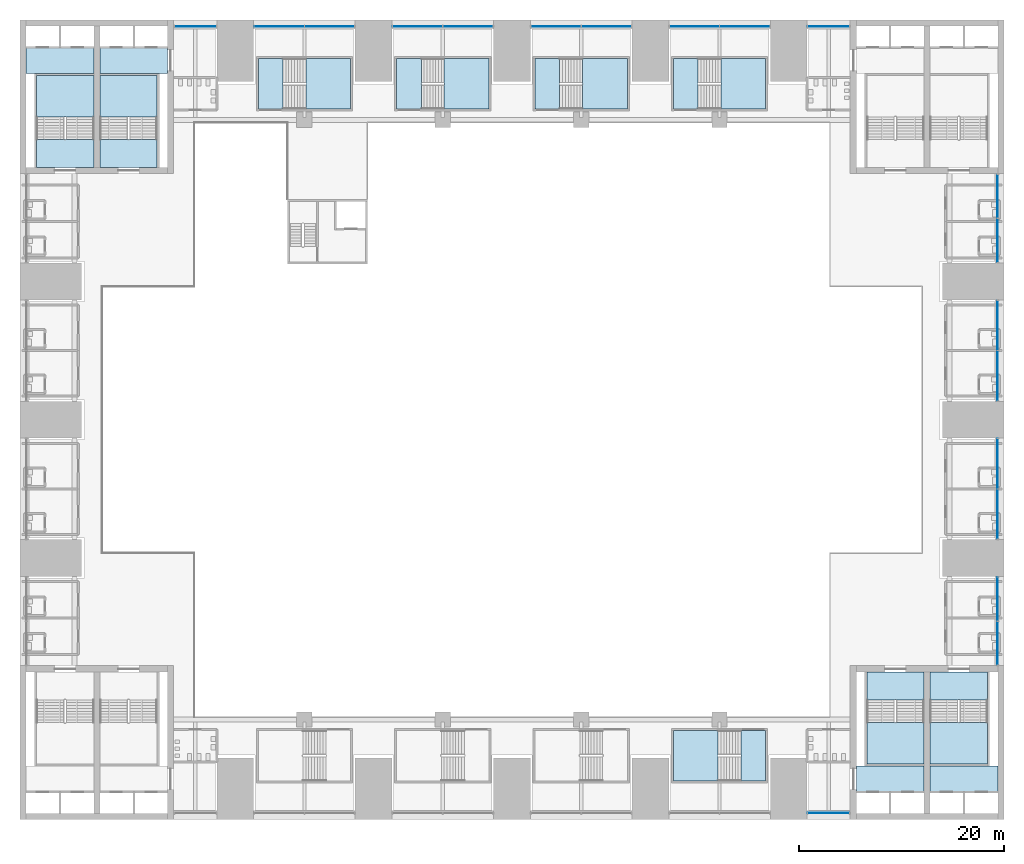
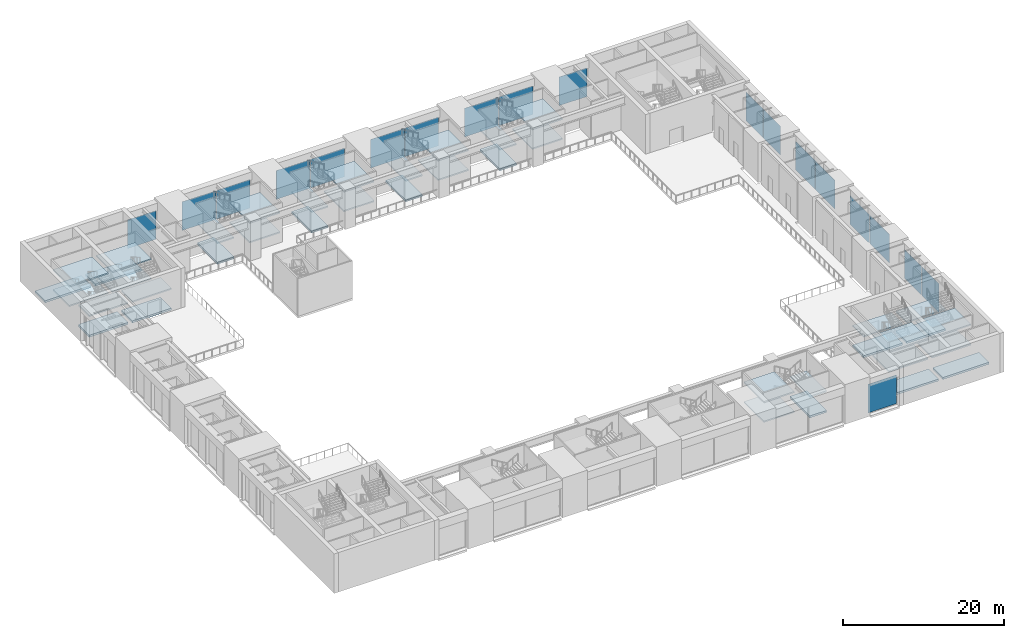
# One storey, part 11 of 43: 40 slabs, 19 plates, 20 elements without a shape of their own.
"""IFC4 building model written with IfcOpenShell, lengths in metres."""

import ifcopenshell
import ifcopenshell.guid

model = None  # the IFC model being written
_history = None  # IfcOwnerHistory: only IFC2X3 demands one
_inside = {}  # id of a spatial element -> (the spatial element, [elements in it])
_under = {}  # id of a project, library or spatial element -> (it, [spatial elements below it])
_declared = {}  # id of a project -> (the project, [libraries it declares])
_typed = {}  # id of a type object -> (the type object, [elements of that type])
_made_of = {}  # id of a material, layer set ... -> (it, [elements and type objects made of it])


def new_model(schema):
    """Start an empty IFC model of exactly this schema.

    Asked for "IFC4X3", IfcOpenShell would pick the latest addendum, in which some entities
    have other attributes; the version numbers below select the first issue.
    IFC2X3 requires an IfcOwnerHistory on every rooted entity: one is made here for all.
    """
    global model, _history
    if schema == "IFC4X3":
        model = ifcopenshell.file(schema_version=(4, 3, 0, 0))
    else:
        model = ifcopenshell.file(schema=schema)
    _inside.clear()
    _under.clear()
    _declared.clear()
    _typed.clear()
    _made_of.clear()
    _history = None
    if model.schema == "IFC2X3":
        org = make("IfcOrganization", Name="unknown")
        user = make(
            "IfcPersonAndOrganization",
            ThePerson=make("IfcPerson", FamilyName="unknown"),
            TheOrganization=org,
        )
        app = make(
            "IfcApplication",
            ApplicationDeveloper=org,
            Version="unknown",
            ApplicationFullName="unknown",
            ApplicationIdentifier="unknown",
        )
        _history = make(
            "IfcOwnerHistory",
            OwningUser=user,
            OwningApplication=app,
            ChangeAction="ADDED",
            CreationDate=0,
        )
    return model


def make(cls, **values):
    """One entity of the class cls with the attributes given. An attribute that is None is left unset."""
    return model.create_entity(
        cls, **{name: value for name, value in values.items() if value is not None}
    )


def rooted(cls, **values):
    """An entity with a GlobalId (a new one), such as an element, a storey or a relation."""
    return make(cls, GlobalId=ifcopenshell.guid.new(), OwnerHistory=_history, **values)


def si_unit(unit_type, name, prefix=None):
    """IfcSIUnit, for example si_unit("LENGTHUNIT", "METRE", prefix="MILLI")."""
    return make("IfcSIUnit", UnitType=unit_type, Prefix=prefix, Name=name)


def assignment(units):
    """IfcUnitAssignment: the units of a project."""
    return None if units is None else make("IfcUnitAssignment", Units=units)


def point(xyz):
    """IfcCartesianPoint."""
    return None if xyz is None else make("IfcCartesianPoint", Coordinates=xyz)


def direction(xyz):
    """IfcDirection."""
    return None if xyz is None else make("IfcDirection", DirectionRatios=xyz)


def frame(location, z_axis=None, x_axis=None):
    """IfcAxis2Placement3D, a coordinate frame: its origin and axes. An axis left out is left unset."""
    return make(
        "IfcAxis2Placement3D",
        Location=point(location),
        Axis=direction(z_axis),
        RefDirection=direction(x_axis),
    )


def frame_2d(location, x_axis=None):
    """IfcAxis2Placement2D, a coordinate frame in the plane: its origin and x axis."""
    return make(
        "IfcAxis2Placement2D", Location=point(location), RefDirection=direction(x_axis)
    )


def origin():
    """The frame at (0, 0, 0) with its axes left unset."""
    return frame((0.0, 0.0, 0.0))


def origin_2d():
    """The frame at (0, 0) in the plane with its x axis left unset."""
    return frame_2d((0.0, 0.0))


def place(relative_to, where):
    """IfcLocalPlacement: puts the frame where relative to a parent placement (None: the world)."""
    return make(
        "IfcLocalPlacement", PlacementRelTo=relative_to, RelativePlacement=where
    )


def context(
    kind, dimensions, precision=None, world=None, true_north=None, identifier=None
):
    """IfcGeometricRepresentationContext, for example the 3D "Model" context."""
    return make(
        "IfcGeometricRepresentationContext",
        ContextIdentifier=identifier,
        ContextType=kind,
        CoordinateSpaceDimension=dimensions,
        Precision=precision,
        WorldCoordinateSystem=world,
        TrueNorth=true_north,
    )


def subcontext(parent, identifier, kind, view, scale=None):
    """IfcGeometricRepresentationSubContext, for example "Body" below "Model"."""
    return make(
        "IfcGeometricRepresentationSubContext",
        ContextIdentifier=identifier,
        ContextType=kind,
        ParentContext=parent,
        TargetScale=scale,
        TargetView=view,
    )


def project(units=None, contexts=None):
    """IfcProject with its units and contexts."""
    return rooted(
        "IfcProject",
        Name="project",
        RepresentationContexts=contexts,
        UnitsInContext=assignment(units),
    )


def spatial(cls, under=None, at=None, **own):
    """A site, building, storey or space (cls), placed at a placement, below another one or the project."""
    s = rooted(cls, ObjectPlacement=at, **own)
    if under is not None:
        _under.setdefault(under.id(), (under, []))[1].append(s)
    return s


def polyline(points):
    """IfcPolyline through the points."""
    return make("IfcPolyline", Points=[point(p) for p in points])


def profile(cls, at=None, kind="AREA", **sizes):
    """A parametric profile (cls). Its sizes go by their IFC names, for example OverallWidth=200.0."""
    return make(cls, ProfileType=kind, Position=at, **sizes)


def rectangle(**sizes):
    """IfcRectangleProfileDef."""
    return profile("IfcRectangleProfileDef", **sizes)


def outline(outer, holes=None, kind="AREA"):
    """IfcArbitraryClosedProfileDef: a profile drawn as a closed curve; with holes, ...WithVoids."""
    if holes is None:
        return make("IfcArbitraryClosedProfileDef", ProfileType=kind, OuterCurve=outer)
    return make(
        "IfcArbitraryProfileDefWithVoids",
        ProfileType=kind,
        OuterCurve=outer,
        InnerCurves=holes,
    )


def extrude(swept, where, along, depth):
    """IfcExtrudedAreaSolid: the profile swept, set in the frame where, extruded along a direction by depth."""
    return make(
        "IfcExtrudedAreaSolid",
        SweptArea=swept,
        Position=where,
        ExtrudedDirection=direction(along),
        Depth=depth,
    )


def shape(context_of_items, identifier, shape_type, items):
    """IfcShapeRepresentation: the items that make up one representation, for example the "Body"."""
    return make(
        "IfcShapeRepresentation",
        ContextOfItems=context_of_items,
        RepresentationIdentifier=identifier,
        RepresentationType=shape_type,
        Items=items,
    )


def material(Name=None, Category=None):
    """IfcMaterial."""
    return make("IfcMaterial", Name=Name, Category=Category)


def layer(
    of_material, thickness, ventilated=None, Name=None, Category=None, Priority=None
):
    """IfcMaterialLayer: one layer of a wall or slab, of a material (None: an air gap)."""
    return make(
        "IfcMaterialLayer",
        Material=of_material,
        LayerThickness=thickness,
        IsVentilated=ventilated,
        Name=Name,
        Category=Category,
        Priority=Priority,
    )


def layer_set(layers, Name=None):
    """IfcMaterialLayerSet."""
    return make("IfcMaterialLayerSet", MaterialLayers=layers, LayerSetName=Name)


def made_of(thing, what):
    """Note that an element or type object is made of a material, layer set ...; save() writes the relation."""
    if what is not None:
        _made_of.setdefault(what.id(), (what, []))[1].append(thing)
    return thing


def type_object(cls, material=None, **own):
    """A type object (cls), such as IfcWallType, which elements share."""
    return made_of(rooted(cls, **own), material)


def element(
    cls,
    number,
    at=None,
    inside=None,
    cuts=None,
    type_object=None,
    material=None,
    context=None,
    identifier="Body",
    shape_type=None,
    held_by="IfcProductDefinitionShape",
    body=None,
    shapes=None,
    **own,
):
    """One element of the class cls, such as IfcWall. Its Tag is "e" and its number.

    at: its placement. inside: the storey or other place that contains it. cuts: it is an
    opening in that element (IfcRelVoidsElement). A single representation is given by context,
    identifier, shape_type and body (its items); several are given by shapes. held_by: the class
    of the entity that holds the representations. save() writes the other relations.
    """
    e = rooted(cls, Tag="e%d" % number, ObjectPlacement=at, **own)
    if body is not None:
        shapes = [shape(context, identifier, shape_type, body)]
    if shapes is not None:
        e.Representation = make(held_by, Representations=shapes)
    if inside is not None:
        _inside.setdefault(inside.id(), (inside, []))[1].append(e)
    if cuts is not None:
        rooted(
            "IfcRelVoidsElement", RelatingBuildingElement=cuts, RelatedOpeningElement=e
        )
    if type_object is not None:
        _typed.setdefault(type_object.id(), (type_object, []))[1].append(e)
    return made_of(e, material)


def aggregate(whole, parts):
    """IfcRelAggregates: a whole, such as a stair, and the parts it consists of."""
    return rooted("IfcRelAggregates", RelatingObject=whole, RelatedObjects=parts)


def save(model, path):
    """Write the relations noted so far, then the file.

    IfcRelAggregates (storeys below a building ...), IfcRelContainedInSpatialStructure (elements
    in a storey), IfcRelDefinesByType, IfcRelAssociatesMaterial and IfcRelDeclares: one each for
    every whole, place, type object, material and project.
    """
    for whole, parts in _under.values():
        aggregate(whole, parts)
    for where, things in _inside.values():
        rooted(
            "IfcRelContainedInSpatialStructure",
            RelatedElements=things,
            RelatingStructure=where,
        )
    for kind, things in _typed.values():
        rooted("IfcRelDefinesByType", RelatedObjects=things, RelatingType=kind)
    for what, things in _made_of.values():
        rooted("IfcRelAssociatesMaterial", RelatedObjects=things, RelatingMaterial=what)
    for by, libraries in _declared.values():
        rooted("IfcRelDeclares", RelatingContext=by, RelatedDefinitions=libraries)
    model.write(path)


model = new_model("IFC4")

# Units and contexts
model_context = context("Model", 3, precision=1e-05, world=origin(), true_north=direction((0.0, 1.0)))
body_context = subcontext(model_context, "Body", "Model", "MODEL_VIEW")
ifc_project = project(units=[si_unit("LENGTHUNIT", "METRE"), si_unit("AREAUNIT", "SQUARE_METRE"), si_unit("VOLUMEUNIT", "CUBIC_METRE"), si_unit("PLANEANGLEUNIT", "RADIAN"), si_unit("MASSUNIT", "GRAM", prefix="KILO")], contexts=[model_context])

# Site, building, storey
site_placement = place(None, origin())
site = spatial("IfcSite", under=ifc_project, at=site_placement, CompositionType="ELEMENT")
building_placement = place(site_placement, origin())
building = spatial("IfcBuilding", under=site, at=building_placement, Name="Corbelhall Arena Tower", CompositionType="ELEMENT")
storey_placement = place(building_placement, frame((0.0, 0.0, 25.0)))
storey = spatial("IfcBuildingStorey", under=building, at=storey_placement, Name="L03", CompositionType="ELEMENT", Elevation=25.0)

# Stair, slabs
ifc_material_1 = material(Name="Reinforced concrete C40/50", Category="concrete")
stair_type = type_object("IfcStairType", Name="AR-EXIT-STAIR", PredefinedType="HALF_TURN_STAIR", material=ifc_material_1)
stair_1_placement = place(storey_placement, origin())
stair_1 = element("IfcStair", 1, at=stair_1_placement, inside=storey, type_object=stair_type, Name="L03 exit stair AS9", PredefinedType="HALF_TURN_STAIR")
ifc_layer_1 = layer(ifc_material_1, 0.199951171875)
ifc_layer_set_1 = layer_set([ifc_layer_1], Name="AR-EXIT-LANDING")
slab_type_1 = type_object("IfcSlabType", Name="AR-EXIT-LANDING", PredefinedType="LANDING", material=ifc_layer_set_1)
slab_1_placement = place(storey_placement, frame((0.0, 0.0, 1.300048828125)))
slab_1 = element("IfcSlab", 2, at=slab_1_placement, type_object=slab_type_1, Name="AS9 landing 1", PredefinedType="LANDING", context=body_context, shape_type="SweptSolid", body=[
    extrude(outline(polyline([(-20.110107421875, 30.300048828125), (-15.75, 30.300048828125), (-15.75, 35.25), (-20.110107421875, 35.25), (-20.110107421875, 30.300048828125)])), origin(), (0.0, 0.0, 1.0), 0.199951171875),
])
slab_2_placement = place(storey_placement, frame((0.0, 0.0, 2.800048828125)))
slab_2 = element("IfcSlab", 3, at=slab_2_placement, type_object=slab_type_1, Name="AS9 landing 2", PredefinedType="LANDING", context=body_context, shape_type="SweptSolid", body=[
    extrude(outline(polyline([(-24.75, 30.300048828125), (-22.35009765625, 30.300048828125), (-22.35009765625, 35.25), (-24.75, 35.25), (-24.75, 30.300048828125)])), origin(), (0.0, 0.0, 1.0), 0.199951171875),
])
slab_3_placement = place(storey_placement, frame((0.0, 0.0, 4.300048828125)))
slab_3 = element("IfcSlab", 4, at=slab_3_placement, type_object=slab_type_1, Name="AS9 landing 3", PredefinedType="LANDING", context=body_context, shape_type="SweptSolid", body=[
    extrude(outline(polyline([(-20.110107421875, 30.300048828125), (-15.75, 30.300048828125), (-15.75, 35.25), (-20.110107421875, 35.25), (-20.110107421875, 30.300048828125)])), origin(), (0.0, 0.0, 1.0), 0.199951171875),
])
aggregate(stair_1, [slab_1, slab_2, slab_3])

stair_2_placement = place(storey_placement, origin())
stair_2 = element("IfcStair", 5, at=stair_2_placement, inside=storey, type_object=stair_type, Name="L03 exit stair AS10", PredefinedType="HALF_TURN_STAIR")
slab_4_placement = place(storey_placement, frame((0.0, 0.0, 1.300048828125)))
slab_4 = element("IfcSlab", 6, at=slab_4_placement, type_object=slab_type_1, Name="AS10 landing 1", PredefinedType="LANDING", context=body_context, shape_type="SweptSolid", body=[
    extrude(outline(polyline([(-6.610107421875, 30.300048828125), (-2.25, 30.300048828125), (-2.25, 35.25), (-6.610107421875, 35.25), (-6.610107421875, 30.300048828125)])), origin(), (0.0, 0.0, 1.0), 0.199951171875),
])
slab_5_placement = place(storey_placement, frame((0.0, 0.0, 2.800048828125)))
slab_5 = element("IfcSlab", 7, at=slab_5_placement, type_object=slab_type_1, Name="AS10 landing 2", PredefinedType="LANDING", context=body_context, shape_type="SweptSolid", body=[
    extrude(outline(polyline([(-11.25, 30.300048828125), (-8.85009765625, 30.300048828125), (-8.85009765625, 35.25), (-11.25, 35.25), (-11.25, 30.300048828125)])), origin(), (0.0, 0.0, 1.0), 0.199951171875),
])
slab_6_placement = place(storey_placement, frame((0.0, 0.0, 4.300048828125)))
slab_6 = element("IfcSlab", 8, at=slab_6_placement, type_object=slab_type_1, Name="AS10 landing 3", PredefinedType="LANDING", context=body_context, shape_type="SweptSolid", body=[
    extrude(outline(polyline([(-6.610107421875, 30.300048828125), (-2.25, 30.300048828125), (-2.25, 35.25), (-6.610107421875, 35.25), (-6.610107421875, 30.300048828125)])), origin(), (0.0, 0.0, 1.0), 0.199951171875),
])
aggregate(stair_2, [slab_4, slab_5, slab_6])

stair_3_placement = place(storey_placement, origin())
stair_3 = element("IfcStair", 9, at=stair_3_placement, inside=storey, type_object=stair_type, Name="L03 exit stair AS11", PredefinedType="HALF_TURN_STAIR")
slab_7_placement = place(storey_placement, frame((0.0, 0.0, 1.300048828125)))
slab_7 = element("IfcSlab", 10, at=slab_7_placement, type_object=slab_type_1, Name="AS11 landing 1", PredefinedType="LANDING", context=body_context, shape_type="SweptSolid", body=[
    extrude(outline(polyline([(6.889892578125, 30.300048828125), (11.25, 30.300048828125), (11.25, 35.25), (6.889892578125, 35.25), (6.889892578125, 30.300048828125)])), origin(), (0.0, 0.0, 1.0), 0.199951171875),
])
slab_8_placement = place(storey_placement, frame((0.0, 0.0, 2.800048828125)))
slab_8 = element("IfcSlab", 11, at=slab_8_placement, type_object=slab_type_1, Name="AS11 landing 2", PredefinedType="LANDING", context=body_context, shape_type="SweptSolid", body=[
    extrude(outline(polyline([(2.25, 30.300048828125), (4.64990234375, 30.300048828125), (4.64990234375, 35.25), (2.25, 35.25), (2.25, 30.300048828125)])), origin(), (0.0, 0.0, 1.0), 0.199951171875),
])
slab_9_placement = place(storey_placement, frame((0.0, 0.0, 4.300048828125)))
slab_9 = element("IfcSlab", 12, at=slab_9_placement, type_object=slab_type_1, Name="AS11 landing 3", PredefinedType="LANDING", context=body_context, shape_type="SweptSolid", body=[
    extrude(outline(polyline([(6.889892578125, 30.300048828125), (11.25, 30.300048828125), (11.25, 35.25), (6.889892578125, 35.25), (6.889892578125, 30.300048828125)])), origin(), (0.0, 0.0, 1.0), 0.199951171875),
])
aggregate(stair_3, [slab_7, slab_8, slab_9])

stair_4_placement = place(storey_placement, origin())
stair_4 = element("IfcStair", 13, at=stair_4_placement, inside=storey, type_object=stair_type, Name="L03 exit stair AS12", PredefinedType="HALF_TURN_STAIR")
slab_10_placement = place(storey_placement, frame((0.0, 0.0, 1.300048828125)))
slab_10 = element("IfcSlab", 14, at=slab_10_placement, type_object=slab_type_1, Name="AS12 landing 1", PredefinedType="LANDING", context=body_context, shape_type="SweptSolid", body=[
    extrude(outline(polyline([(20.389892578125, 30.300048828125), (24.75, 30.300048828125), (24.75, 35.25), (20.389892578125, 35.25), (20.389892578125, 30.300048828125)])), origin(), (0.0, 0.0, 1.0), 0.199951171875),
])
slab_11_placement = place(storey_placement, frame((0.0, 0.0, 2.800048828125)))
slab_11 = element("IfcSlab", 15, at=slab_11_placement, type_object=slab_type_1, Name="AS12 landing 2", PredefinedType="LANDING", context=body_context, shape_type="SweptSolid", body=[
    extrude(outline(polyline([(15.75, 30.300048828125), (18.14990234375, 30.300048828125), (18.14990234375, 35.25), (15.75, 35.25), (15.75, 30.300048828125)])), origin(), (0.0, 0.0, 1.0), 0.199951171875),
])
slab_12_placement = place(storey_placement, frame((0.0, 0.0, 4.300048828125)))
slab_12 = element("IfcSlab", 16, at=slab_12_placement, type_object=slab_type_1, Name="AS12 landing 3", PredefinedType="LANDING", context=body_context, shape_type="SweptSolid", body=[
    extrude(outline(polyline([(20.389892578125, 30.300048828125), (24.75, 30.300048828125), (24.75, 35.25), (20.389892578125, 35.25), (20.389892578125, 30.300048828125)])), origin(), (0.0, 0.0, 1.0), 0.199951171875),
])
aggregate(stair_4, [slab_10, slab_11, slab_12])

stair_5_placement = place(storey_placement, origin())
stair_5 = element("IfcStair", 17, at=stair_5_placement, inside=storey, type_object=stair_type, Name="L03 exit stair AS16", PredefinedType="HALF_TURN_STAIR")
slab_13_placement = place(storey_placement, frame((0.0, 0.0, 1.300048828125)))
slab_13 = element("IfcSlab", 18, at=slab_13_placement, type_object=slab_type_1, Name="AS16 landing 1", PredefinedType="LANDING", context=body_context, shape_type="SweptSolid", body=[
    extrude(outline(polyline([(20.110107421875, -30.300048828125), (15.75, -30.300048828125), (15.75, -35.25), (20.110107421875, -35.25), (20.110107421875, -30.300048828125)])), origin(), (0.0, 0.0, 1.0), 0.199951171875),
])
slab_14_placement = place(storey_placement, frame((0.0, 0.0, 2.800048828125)))
slab_14 = element("IfcSlab", 19, at=slab_14_placement, type_object=slab_type_1, Name="AS16 landing 2", PredefinedType="LANDING", context=body_context, shape_type="SweptSolid", body=[
    extrude(outline(polyline([(24.75, -30.300048828125), (22.35009765625, -30.300048828125), (22.35009765625, -35.25), (24.75, -35.25), (24.75, -30.300048828125)])), origin(), (0.0, 0.0, 1.0), 0.199951171875),
])
slab_15_placement = place(storey_placement, frame((0.0, 0.0, 4.300048828125)))
slab_15 = element("IfcSlab", 20, at=slab_15_placement, type_object=slab_type_1, Name="AS16 landing 3", PredefinedType="LANDING", context=body_context, shape_type="SweptSolid", body=[
    extrude(outline(polyline([(20.110107421875, -30.300048828125), (15.75, -30.300048828125), (15.75, -35.25), (20.110107421875, -35.25), (20.110107421875, -30.300048828125)])), origin(), (0.0, 0.0, 1.0), 0.199951171875),
])
aggregate(stair_5, [slab_13, slab_14, slab_15])

stair_6_placement = place(storey_placement, origin())
stair_6 = element("IfcStair", 21, at=stair_6_placement, inside=storey, type_object=stair_type, Name="L03 exit stair AS3", PredefinedType="HALF_TURN_STAIR")
slab_16_placement = place(storey_placement, frame((0.0, 0.0, 1.300048828125)))
slab_16 = element("IfcSlab", 22, at=slab_16_placement, type_object=slab_type_1, Name="AS3 landing 1", PredefinedType="LANDING", context=body_context, shape_type="SweptSolid", body=[
    extrude(outline(polyline([(-34.610107421875, 29.56005859375), (-34.610107421875, 33.60009765625), (-40.199951171875, 33.60009765625), (-40.199951171875, 29.56005859375), (-34.610107421875, 29.56005859375)])), origin(), (0.0, 0.0, 1.0), 0.199951171875),
])
slab_17_placement = place(storey_placement, frame((0.0, 0.0, 2.800048828125)))
slab_17 = element("IfcSlab", 23, at=slab_17_placement, type_object=slab_type_1, Name="AS3 landing 2", PredefinedType="LANDING", context=body_context, shape_type="SweptSolid", body=[
    extrude(outline(polyline([(-34.610107421875, 24.60009765625), (-34.610107421875, 27.320068359375), (-40.199951171875, 27.320068359375), (-40.199951171875, 24.60009765625), (-34.610107421875, 24.60009765625)])), origin(), (0.0, 0.0, 1.0), 0.199951171875),
])
slab_18_placement = place(storey_placement, frame((0.0, 0.0, 4.300048828125)))
slab_18 = element("IfcSlab", 24, at=slab_18_placement, type_object=slab_type_1, Name="AS3 landing 3", PredefinedType="LANDING", context=body_context, shape_type="SweptSolid", body=[
    extrude(outline(polyline([(-34.610107421875, 29.56005859375), (-34.610107421875, 33.60009765625), (-40.199951171875, 33.60009765625), (-40.199951171875, 29.56005859375), (-34.610107421875, 29.56005859375)])), origin(), (0.0, 0.0, 1.0), 0.199951171875),
])
aggregate(stair_6, [slab_16, slab_17, slab_18])

stair_7_placement = place(storey_placement, origin())
stair_7 = element("IfcStair", 25, at=stair_7_placement, inside=storey, type_object=stair_type, Name="L03 exit stair AS4", PredefinedType="HALF_TURN_STAIR")
slab_19_placement = place(storey_placement, frame((0.0, 0.0, 1.300048828125)))
slab_19 = element("IfcSlab", 26, at=slab_19_placement, type_object=slab_type_1, Name="AS4 landing 1", PredefinedType="LANDING", context=body_context, shape_type="SweptSolid", body=[
    extrude(outline(polyline([(-40.800048828125, 29.56005859375), (-40.800048828125, 33.60009765625), (-46.389892578125, 33.60009765625), (-46.389892578125, 29.56005859375), (-40.800048828125, 29.56005859375)])), origin(), (0.0, 0.0, 1.0), 0.199951171875),
])
slab_20_placement = place(storey_placement, frame((0.0, 0.0, 2.800048828125)))
slab_20 = element("IfcSlab", 27, at=slab_20_placement, type_object=slab_type_1, Name="AS4 landing 2", PredefinedType="LANDING", context=body_context, shape_type="SweptSolid", body=[
    extrude(outline(polyline([(-40.800048828125, 24.60009765625), (-40.800048828125, 27.320068359375), (-46.389892578125, 27.320068359375), (-46.389892578125, 24.60009765625), (-40.800048828125, 24.60009765625)])), origin(), (0.0, 0.0, 1.0), 0.199951171875),
])
slab_21_placement = place(storey_placement, frame((0.0, 0.0, 4.300048828125)))
slab_21 = element("IfcSlab", 28, at=slab_21_placement, type_object=slab_type_1, Name="AS4 landing 3", PredefinedType="LANDING", context=body_context, shape_type="SweptSolid", body=[
    extrude(outline(polyline([(-40.800048828125, 29.56005859375), (-40.800048828125, 33.60009765625), (-46.389892578125, 33.60009765625), (-46.389892578125, 29.56005859375), (-40.800048828125, 29.56005859375)])), origin(), (0.0, 0.0, 1.0), 0.199951171875),
])
aggregate(stair_7, [slab_19, slab_20, slab_21])

stair_8_placement = place(storey_placement, origin())
stair_8 = element("IfcStair", 29, at=stair_8_placement, inside=storey, type_object=stair_type, Name="L03 exit stair AS5", PredefinedType="HALF_TURN_STAIR")
slab_22_placement = place(storey_placement, frame((0.0, 0.0, 1.300048828125)))
slab_22 = element("IfcSlab", 30, at=slab_22_placement, type_object=slab_type_1, Name="AS5 landing 1", PredefinedType="LANDING", context=body_context, shape_type="SweptSolid", body=[
    extrude(outline(polyline([(34.610107421875, -29.56005859375), (34.610107421875, -33.60009765625), (40.199951171875, -33.60009765625), (40.199951171875, -29.56005859375), (34.610107421875, -29.56005859375)])), origin(), (0.0, 0.0, 1.0), 0.199951171875),
])
slab_23_placement = place(storey_placement, frame((0.0, 0.0, 2.800048828125)))
slab_23 = element("IfcSlab", 31, at=slab_23_placement, type_object=slab_type_1, Name="AS5 landing 2", PredefinedType="LANDING", context=body_context, shape_type="SweptSolid", body=[
    extrude(outline(polyline([(34.610107421875, -24.60009765625), (34.610107421875, -27.320068359375), (40.199951171875, -27.320068359375), (40.199951171875, -24.60009765625), (34.610107421875, -24.60009765625)])), origin(), (0.0, 0.0, 1.0), 0.199951171875),
])
slab_24_placement = place(storey_placement, frame((0.0, 0.0, 4.300048828125)))
slab_24 = element("IfcSlab", 32, at=slab_24_placement, type_object=slab_type_1, Name="AS5 landing 3", PredefinedType="LANDING", context=body_context, shape_type="SweptSolid", body=[
    extrude(outline(polyline([(34.610107421875, -29.56005859375), (34.610107421875, -33.60009765625), (40.199951171875, -33.60009765625), (40.199951171875, -29.56005859375), (34.610107421875, -29.56005859375)])), origin(), (0.0, 0.0, 1.0), 0.199951171875),
])
aggregate(stair_8, [slab_22, slab_23, slab_24])

stair_9_placement = place(storey_placement, origin())
stair_9 = element("IfcStair", 33, at=stair_9_placement, inside=storey, type_object=stair_type, Name="L03 exit stair AS6", PredefinedType="HALF_TURN_STAIR")
slab_25_placement = place(storey_placement, frame((0.0, 0.0, 1.300048828125)))
slab_25 = element("IfcSlab", 34, at=slab_25_placement, type_object=slab_type_1, Name="AS6 landing 1", PredefinedType="LANDING", context=body_context, shape_type="SweptSolid", body=[
    extrude(outline(polyline([(40.800048828125, -29.56005859375), (40.800048828125, -33.60009765625), (46.389892578125, -33.60009765625), (46.389892578125, -29.56005859375), (40.800048828125, -29.56005859375)])), origin(), (0.0, 0.0, 1.0), 0.199951171875),
])
slab_26_placement = place(storey_placement, frame((0.0, 0.0, 2.800048828125)))
slab_26 = element("IfcSlab", 35, at=slab_26_placement, type_object=slab_type_1, Name="AS6 landing 2", PredefinedType="LANDING", context=body_context, shape_type="SweptSolid", body=[
    extrude(outline(polyline([(40.800048828125, -24.60009765625), (40.800048828125, -27.320068359375), (46.389892578125, -27.320068359375), (46.389892578125, -24.60009765625), (40.800048828125, -24.60009765625)])), origin(), (0.0, 0.0, 1.0), 0.199951171875),
])
slab_27_placement = place(storey_placement, frame((0.0, 0.0, 4.300048828125)))
slab_27 = element("IfcSlab", 36, at=slab_27_placement, type_object=slab_type_1, Name="AS6 landing 3", PredefinedType="LANDING", context=body_context, shape_type="SweptSolid", body=[
    extrude(outline(polyline([(40.800048828125, -29.56005859375), (40.800048828125, -33.60009765625), (46.389892578125, -33.60009765625), (46.389892578125, -29.56005859375), (40.800048828125, -29.56005859375)])), origin(), (0.0, 0.0, 1.0), 0.199951171875),
])
aggregate(stair_9, [slab_25, slab_26, slab_27])

# Slabs
ifc_layer_2 = layer(ifc_material_1, 0.300048828125)
ifc_layer_set_2 = layer_set([ifc_layer_2], Name="AR-STAIR-FLOOR")
slab_type_2 = type_object("IfcSlabType", Name="AR-STAIR-FLOOR", PredefinedType="FLOOR", material=ifc_layer_set_2)
slab_28_placement = place(storey_placement, frame((0.0, 0.0, -0.300048828125)))
element("IfcSlab", 37, at=slab_28_placement, inside=storey, type_object=slab_type_2, Name="Stair AS9 floor", PredefinedType="FLOOR", context=body_context, shape_type="SweptSolid", body=[
    extrude(outline(polyline([(-24.75, 30.300048828125), (-24.75, 35.25), (-22.346923828125, 35.25), (-22.346923828125, 30.300048828125), (-24.75, 30.300048828125)])), origin(), (0.0, 0.0, 1.0), 0.300048828125),
])
slab_29_placement = place(storey_placement, frame((0.0, 0.0, -0.300048828125)))
element("IfcSlab", 38, at=slab_29_placement, inside=storey, type_object=slab_type_2, Name="Stair AS10 floor", PredefinedType="FLOOR", context=body_context, shape_type="SweptSolid", body=[
    extrude(outline(polyline([(-11.25, 30.300048828125), (-11.25, 35.25), (-8.846923828125, 35.25), (-8.846923828125, 30.300048828125), (-11.25, 30.300048828125)])), origin(), (0.0, 0.0, 1.0), 0.300048828125),
])
slab_30_placement = place(storey_placement, frame((0.0, 0.0, -0.300048828125)))
element("IfcSlab", 39, at=slab_30_placement, inside=storey, type_object=slab_type_2, Name="Stair AS11 floor", PredefinedType="FLOOR", context=body_context, shape_type="SweptSolid", body=[
    extrude(outline(polyline([(2.25, 30.300048828125), (2.25, 35.25), (4.653076171875, 35.25), (4.653076171875, 30.300048828125), (2.25, 30.300048828125)])), origin(), (0.0, 0.0, 1.0), 0.300048828125),
])
slab_31_placement = place(storey_placement, frame((0.0, 0.0, -0.300048828125)))
element("IfcSlab", 40, at=slab_31_placement, inside=storey, type_object=slab_type_2, Name="Stair AS12 floor", PredefinedType="FLOOR", context=body_context, shape_type="SweptSolid", body=[
    extrude(outline(polyline([(15.75, 30.300048828125), (15.75, 35.25), (18.153076171875, 35.25), (18.153076171875, 30.300048828125), (15.75, 30.300048828125)])), origin(), (0.0, 0.0, 1.0), 0.300048828125),
])
slab_32_placement = place(storey_placement, frame((0.0, 0.0, -0.300048828125)))
element("IfcSlab", 41, at=slab_32_placement, inside=storey, type_object=slab_type_2, Name="Stair AS16 floor", PredefinedType="FLOOR", context=body_context, shape_type="SweptSolid", body=[
    extrude(outline(polyline([(24.75, -30.300048828125), (24.75, -35.25), (22.346923828125, -35.25), (22.346923828125, -30.300048828125), (24.75, -30.300048828125)])), origin(), (0.0, 0.0, 1.0), 0.300048828125),
])
slab_33_placement = place(storey_placement, frame((0.0, 0.0, -0.300048828125)))
element("IfcSlab", 42, at=slab_33_placement, inside=storey, type_object=slab_type_2, Name="Stair AS3 floor", PredefinedType="FLOOR", context=body_context, shape_type="SweptSolid", body=[
    extrude(outline(polyline([(-34.610107421875, 24.60009765625), (-40.199951171875, 24.60009765625), (-40.199951171875, 27.322998046875), (-34.610107421875, 27.322998046875), (-34.610107421875, 24.60009765625)])), origin(), (0.0, 0.0, 1.0), 0.300048828125),
])
slab_34_placement = place(storey_placement, frame((0.0, 0.0, -0.300048828125)))
element("IfcSlab", 43, at=slab_34_placement, inside=storey, type_object=slab_type_2, Name="Stair AS4 floor", PredefinedType="FLOOR", context=body_context, shape_type="SweptSolid", body=[
    extrude(outline(polyline([(-40.800048828125, 24.60009765625), (-46.389892578125, 24.60009765625), (-46.389892578125, 27.322998046875), (-40.800048828125, 27.322998046875), (-40.800048828125, 24.60009765625)])), origin(), (0.0, 0.0, 1.0), 0.300048828125),
])
slab_35_placement = place(storey_placement, frame((0.0, 0.0, -0.300048828125)))
element("IfcSlab", 44, at=slab_35_placement, inside=storey, type_object=slab_type_2, Name="Stair AS5 floor", PredefinedType="FLOOR", context=body_context, shape_type="SweptSolid", body=[
    extrude(outline(polyline([(34.610107421875, -24.60009765625), (40.199951171875, -24.60009765625), (40.199951171875, -27.322998046875), (34.610107421875, -27.322998046875), (34.610107421875, -24.60009765625)])), origin(), (0.0, 0.0, 1.0), 0.300048828125),
])
slab_36_placement = place(storey_placement, frame((0.0, 0.0, -0.300048828125)))
element("IfcSlab", 45, at=slab_36_placement, inside=storey, type_object=slab_type_2, Name="Stair AS6 floor", PredefinedType="FLOOR", context=body_context, shape_type="SweptSolid", body=[
    extrude(outline(polyline([(40.800048828125, -24.60009765625), (46.389892578125, -24.60009765625), (46.389892578125, -27.322998046875), (40.800048828125, -27.322998046875), (40.800048828125, -24.60009765625)])), origin(), (0.0, 0.0, 1.0), 0.300048828125),
])
slab_37_placement = place(storey_placement, frame((0.0, 0.0, -0.300048828125)))
element("IfcSlab", 46, at=slab_37_placement, inside=storey, type_object=slab_type_2, Name="Lift lobby floor NW", PredefinedType="FLOOR", context=body_context, shape_type="SweptSolid", body=[
    extrude(outline(polyline([(-40.800048828125, 33.800048828125), (-40.800048828125, 36.300048828125), (-47.39990234375, 36.300048828125), (-47.39990234375, 33.800048828125), (-40.800048828125, 33.800048828125)])), origin(), (0.0, 0.0, 1.0), 0.300048828125),
])
slab_38_placement = place(storey_placement, frame((0.0, 0.0, -0.300048828125)))
element("IfcSlab", 47, at=slab_38_placement, inside=storey, type_object=slab_type_2, Name="Lift lobby floor NW", PredefinedType="FLOOR", context=body_context, shape_type="SweptSolid", body=[
    extrude(outline(polyline([(-33.60009765625, 33.800048828125), (-33.60009765625, 36.300048828125), (-40.199951171875, 36.300048828125), (-40.199951171875, 33.800048828125), (-33.60009765625, 33.800048828125)])), origin(), (0.0, 0.0, 1.0), 0.300048828125),
])
slab_39_placement = place(storey_placement, frame((0.0, 0.0, -0.300048828125)))
element("IfcSlab", 48, at=slab_39_placement, inside=storey, type_object=slab_type_2, Name="Lift lobby floor SE", PredefinedType="FLOOR", context=body_context, shape_type="SweptSolid", body=[
    extrude(outline(polyline([(40.199951171875, -36.300048828125), (40.199951171875, -33.800048828125), (33.60009765625, -33.800048828125), (33.60009765625, -36.300048828125), (40.199951171875, -36.300048828125)])), origin(), (0.0, 0.0, 1.0), 0.300048828125),
])
slab_40_placement = place(storey_placement, frame((0.0, 0.0, -0.300048828125)))
element("IfcSlab", 49, at=slab_40_placement, inside=storey, type_object=slab_type_2, Name="Lift lobby floor SE", PredefinedType="FLOOR", context=body_context, shape_type="SweptSolid", body=[
    extrude(outline(polyline([(47.39990234375, -36.300048828125), (47.39990234375, -33.800048828125), (40.800048828125, -33.800048828125), (40.800048828125, -36.300048828125), (47.39990234375, -36.300048828125)])), origin(), (0.0, 0.0, 1.0), 0.300048828125),
])

# Curtain wall, plate
ifc_material_2 = material(Name="Aluminium black anodised", Category="aluminium")
ifc_layer_3 = layer(ifc_material_2, 0.239990234375)
ifc_layer_set_3 = layer_set([ifc_layer_3], Name="EV-CW4 Arena concourse glazing")
curtain_wall_type = type_object("IfcCurtainWallType", Name="EV-CW4 Arena concourse glazing", PredefinedType="NOTDEFINED", material=ifc_layer_set_3)
curtain_wall_1_placement = place(storey_placement, origin())
curtain_wall_1 = element("IfcCurtainWall", 50, at=curtain_wall_1_placement, inside=storey, type_object=curtain_wall_type, Name="Curtain wall CW4A", PredefinedType="NOTDEFINED")
ifc_material_3 = material(Name="Glass dark tinted laminated", Category="glass")
ifc_layer_4 = layer(ifc_material_3, 0.028076171875)
ifc_layer_set_4 = layer_set([ifc_layer_4], Name="EV-CW4-PANEL")
plate_type = type_object("IfcPlateType", Name="EV-CW4-PANEL", PredefinedType="CURTAIN_PANEL", material=ifc_layer_set_4)
plate_1_placement = place(storey_placement, frame((30.89990234375, -38.3798828125, 0.074951171875), z_axis=(0.0, 0.0, 1.0), x_axis=(1.0, 0.0, 0.0)))
plate_1 = element("IfcPlate", 51, at=plate_1_placement, type_object=plate_type, Name="CW4A panel 1.1", PredefinedType="CURTAIN_PANEL", context=body_context, shape_type="SweptSolid", body=[
    extrude(rectangle(XDim=4.050048828125, YDim=0.028076171875, at=origin_2d()), origin(), (0.0, 0.0, 1.0), 4.35009765625),
])
aggregate(curtain_wall_1, [plate_1])

# Curtain wall, plates
curtain_wall_2_placement = place(storey_placement, origin())
curtain_wall_2 = element("IfcCurtainWall", 52, at=curtain_wall_2_placement, inside=storey, type_object=curtain_wall_type, Name="Curtain wall CW4B", PredefinedType="NOTDEFINED")
plate_2_placement = place(storey_placement, frame((47.3798828125, -21.80615234375, 0.074951171875), z_axis=(0.0, 0.0, 1.0), x_axis=(0.0, 1.0, 0.0)))
plate_2 = element("IfcPlate", 53, at=plate_2_placement, type_object=plate_type, Name="CW4B panel 1.1", PredefinedType="CURTAIN_PANEL", context=body_context, shape_type="SweptSolid", body=[
    extrude(rectangle(XDim=4.237548828125, YDim=0.028076171875, at=origin_2d()), origin(), (0.0, 0.0, 1.0), 4.35009765625),
])
plate_3_placement = place(storey_placement, frame((47.3798828125, -17.49365234375, 0.074951171875), z_axis=(0.0, 0.0, 1.0), x_axis=(0.0, 1.0, 0.0)))
plate_3 = element("IfcPlate", 54, at=plate_3_placement, type_object=plate_type, Name="CW4B panel 2.1", PredefinedType="CURTAIN_PANEL", context=body_context, shape_type="SweptSolid", body=[
    extrude(rectangle(XDim=4.237548828125, YDim=0.028076171875, at=origin_2d()), origin(), (0.0, 0.0, 1.0), 4.35009765625),
])
aggregate(curtain_wall_2, [plate_2, plate_3])

curtain_wall_3_placement = place(storey_placement, origin())
curtain_wall_3 = element("IfcCurtainWall", 55, at=curtain_wall_3_placement, inside=storey, type_object=curtain_wall_type, Name="Curtain wall CW4", PredefinedType="NOTDEFINED")
plate_4_placement = place(storey_placement, frame((47.3798828125, -9.206298828125, 0.074951171875), z_axis=(0.0, 0.0, 1.0), x_axis=(0.0, 1.0, 0.0)))
plate_4 = element("IfcPlate", 56, at=plate_4_placement, type_object=plate_type, Name="CW4 panel 1.1", PredefinedType="CURTAIN_PANEL", context=body_context, shape_type="SweptSolid", body=[
    extrude(rectangle(XDim=4.83740234375, YDim=0.028076171875, at=origin_2d()), origin(), (0.0, 0.0, 1.0), 4.35009765625),
])
plate_5_placement = place(storey_placement, frame((47.3798828125, -4.293701171875, 0.074951171875), z_axis=(0.0, 0.0, 1.0), x_axis=(0.0, 1.0, 0.0)))
plate_5 = element("IfcPlate", 57, at=plate_5_placement, type_object=plate_type, Name="CW4 panel 2.1", PredefinedType="CURTAIN_PANEL", context=body_context, shape_type="SweptSolid", body=[
    extrude(rectangle(XDim=4.83740234375, YDim=0.028076171875, at=origin_2d()), origin(), (0.0, 0.0, 1.0), 4.35009765625),
])
aggregate(curtain_wall_3, [plate_4, plate_5])

curtain_wall_4_placement = place(storey_placement, origin())
curtain_wall_4 = element("IfcCurtainWall", 58, at=curtain_wall_4_placement, inside=storey, type_object=curtain_wall_type, Name="Curtain wall CW4", PredefinedType="NOTDEFINED")
plate_6_placement = place(storey_placement, frame((47.3798828125, 4.293701171875, 0.074951171875), z_axis=(0.0, 0.0, 1.0), x_axis=(0.0, 1.0, 0.0)))
plate_6 = element("IfcPlate", 59, at=plate_6_placement, type_object=plate_type, Name="CW4 panel 1.1", PredefinedType="CURTAIN_PANEL", context=body_context, shape_type="SweptSolid", body=[
    extrude(rectangle(XDim=4.83740234375, YDim=0.028076171875, at=origin_2d()), origin(), (0.0, 0.0, 1.0), 4.35009765625),
])
plate_7_placement = place(storey_placement, frame((47.3798828125, 9.206298828125, 0.074951171875), z_axis=(0.0, 0.0, 1.0), x_axis=(0.0, 1.0, 0.0)))
plate_7 = element("IfcPlate", 60, at=plate_7_placement, type_object=plate_type, Name="CW4 panel 2.1", PredefinedType="CURTAIN_PANEL", context=body_context, shape_type="SweptSolid", body=[
    extrude(rectangle(XDim=4.83740234375, YDim=0.028076171875, at=origin_2d()), origin(), (0.0, 0.0, 1.0), 4.35009765625),
])
aggregate(curtain_wall_4, [plate_6, plate_7])

curtain_wall_5_placement = place(storey_placement, origin())
curtain_wall_5 = element("IfcCurtainWall", 61, at=curtain_wall_5_placement, inside=storey, type_object=curtain_wall_type, Name="Curtain wall CW4B", PredefinedType="NOTDEFINED")
plate_8_placement = place(storey_placement, frame((47.3798828125, 17.49365234375, 0.074951171875), z_axis=(0.0, 0.0, 1.0), x_axis=(0.0, 1.0, 0.0)))
plate_8 = element("IfcPlate", 62, at=plate_8_placement, type_object=plate_type, Name="CW4B panel 1.1", PredefinedType="CURTAIN_PANEL", context=body_context, shape_type="SweptSolid", body=[
    extrude(rectangle(XDim=4.237548828125, YDim=0.028076171875, at=origin_2d()), origin(), (0.0, 0.0, 1.0), 4.35009765625),
])
plate_9_placement = place(storey_placement, frame((47.3798828125, 21.80615234375, 0.074951171875), z_axis=(0.0, 0.0, 1.0), x_axis=(0.0, 1.0, 0.0)))
plate_9 = element("IfcPlate", 63, at=plate_9_placement, type_object=plate_type, Name="CW4B panel 2.1", PredefinedType="CURTAIN_PANEL", context=body_context, shape_type="SweptSolid", body=[
    extrude(rectangle(XDim=4.237548828125, YDim=0.028076171875, at=origin_2d()), origin(), (0.0, 0.0, 1.0), 4.35009765625),
])
aggregate(curtain_wall_5, [plate_8, plate_9])

# Curtain wall, plate
curtain_wall_6_placement = place(storey_placement, origin())
curtain_wall_6 = element("IfcCurtainWall", 64, at=curtain_wall_6_placement, inside=storey, type_object=curtain_wall_type, Name="Curtain wall CW4A", PredefinedType="NOTDEFINED")
plate_10_placement = place(storey_placement, frame((30.89990234375, 38.3798828125, 0.074951171875), z_axis=(0.0, 0.0, 1.0), x_axis=(-1.0, 0.0, 0.0)))
plate_10 = element("IfcPlate", 65, at=plate_10_placement, type_object=plate_type, Name="CW4A panel 1.1", PredefinedType="CURTAIN_PANEL", context=body_context, shape_type="SweptSolid", body=[
    extrude(rectangle(XDim=4.050048828125, YDim=0.028076171875, at=origin_2d()), origin(), (0.0, 0.0, 1.0), 4.35009765625),
])
aggregate(curtain_wall_6, [plate_10])

# Curtain wall, plates
curtain_wall_7_placement = place(storey_placement, origin())
curtain_wall_7 = element("IfcCurtainWall", 66, at=curtain_wall_7_placement, inside=storey, type_object=curtain_wall_type, Name="Curtain wall CW4", PredefinedType="NOTDEFINED")
plate_11_placement = place(storey_placement, frame((22.706298828125, 38.3798828125, 0.074951171875), z_axis=(0.0, 0.0, 1.0), x_axis=(-1.0, 0.0, 0.0)))
plate_11 = element("IfcPlate", 67, at=plate_11_placement, type_object=plate_type, Name="CW4 panel 1.1", PredefinedType="CURTAIN_PANEL", context=body_context, shape_type="SweptSolid", body=[
    extrude(rectangle(XDim=4.83740234375, YDim=0.028076171875, at=origin_2d()), origin(), (0.0, 0.0, 1.0), 4.35009765625),
])
plate_12_placement = place(storey_placement, frame((17.793701171875, 38.3798828125, 0.074951171875), z_axis=(0.0, 0.0, 1.0), x_axis=(-1.0, 0.0, 0.0)))
plate_12 = element("IfcPlate", 68, at=plate_12_placement, type_object=plate_type, Name="CW4 panel 2.1", PredefinedType="CURTAIN_PANEL", context=body_context, shape_type="SweptSolid", body=[
    extrude(rectangle(XDim=4.83740234375, YDim=0.028076171875, at=origin_2d()), origin(), (0.0, 0.0, 1.0), 4.35009765625),
])
aggregate(curtain_wall_7, [plate_11, plate_12])

curtain_wall_8_placement = place(storey_placement, origin())
curtain_wall_8 = element("IfcCurtainWall", 69, at=curtain_wall_8_placement, inside=storey, type_object=curtain_wall_type, Name="Curtain wall CW4", PredefinedType="NOTDEFINED")
plate_13_placement = place(storey_placement, frame((9.206298828125, 38.3798828125, 0.074951171875), z_axis=(0.0, 0.0, 1.0), x_axis=(-1.0, 0.0, 0.0)))
plate_13 = element("IfcPlate", 70, at=plate_13_placement, type_object=plate_type, Name="CW4 panel 1.1", PredefinedType="CURTAIN_PANEL", context=body_context, shape_type="SweptSolid", body=[
    extrude(rectangle(XDim=4.83740234375, YDim=0.028076171875, at=origin_2d()), origin(), (0.0, 0.0, 1.0), 4.35009765625),
])
plate_14_placement = place(storey_placement, frame((4.293701171875, 38.3798828125, 0.074951171875), z_axis=(0.0, 0.0, 1.0), x_axis=(-1.0, 0.0, 0.0)))
plate_14 = element("IfcPlate", 71, at=plate_14_placement, type_object=plate_type, Name="CW4 panel 2.1", PredefinedType="CURTAIN_PANEL", context=body_context, shape_type="SweptSolid", body=[
    extrude(rectangle(XDim=4.83740234375, YDim=0.028076171875, at=origin_2d()), origin(), (0.0, 0.0, 1.0), 4.35009765625),
])
aggregate(curtain_wall_8, [plate_13, plate_14])

curtain_wall_9_placement = place(storey_placement, origin())
curtain_wall_9 = element("IfcCurtainWall", 72, at=curtain_wall_9_placement, inside=storey, type_object=curtain_wall_type, Name="Curtain wall CW4", PredefinedType="NOTDEFINED")
plate_15_placement = place(storey_placement, frame((-4.293701171875, 38.3798828125, 0.074951171875), z_axis=(0.0, 0.0, 1.0), x_axis=(-1.0, 0.0, 0.0)))
plate_15 = element("IfcPlate", 73, at=plate_15_placement, type_object=plate_type, Name="CW4 panel 1.1", PredefinedType="CURTAIN_PANEL", context=body_context, shape_type="SweptSolid", body=[
    extrude(rectangle(XDim=4.83740234375, YDim=0.028076171875, at=origin_2d()), origin(), (0.0, 0.0, 1.0), 4.35009765625),
])
plate_16_placement = place(storey_placement, frame((-9.206298828125, 38.3798828125, 0.074951171875), z_axis=(0.0, 0.0, 1.0), x_axis=(-1.0, 0.0, 0.0)))
plate_16 = element("IfcPlate", 74, at=plate_16_placement, type_object=plate_type, Name="CW4 panel 2.1", PredefinedType="CURTAIN_PANEL", context=body_context, shape_type="SweptSolid", body=[
    extrude(rectangle(XDim=4.83740234375, YDim=0.028076171875, at=origin_2d()), origin(), (0.0, 0.0, 1.0), 4.35009765625),
])
aggregate(curtain_wall_9, [plate_15, plate_16])

curtain_wall_10_placement = place(storey_placement, origin())
curtain_wall_10 = element("IfcCurtainWall", 75, at=curtain_wall_10_placement, inside=storey, type_object=curtain_wall_type, Name="Curtain wall CW4", PredefinedType="NOTDEFINED")
plate_17_placement = place(storey_placement, frame((-17.793701171875, 38.3798828125, 0.074951171875), z_axis=(0.0, 0.0, 1.0), x_axis=(-1.0, 0.0, 0.0)))
plate_17 = element("IfcPlate", 76, at=plate_17_placement, type_object=plate_type, Name="CW4 panel 1.1", PredefinedType="CURTAIN_PANEL", context=body_context, shape_type="SweptSolid", body=[
    extrude(rectangle(XDim=4.83740234375, YDim=0.028076171875, at=origin_2d()), origin(), (0.0, 0.0, 1.0), 4.35009765625),
])
plate_18_placement = place(storey_placement, frame((-22.706298828125, 38.3798828125, 0.074951171875), z_axis=(0.0, 0.0, 1.0), x_axis=(-1.0, 0.0, 0.0)))
plate_18 = element("IfcPlate", 77, at=plate_18_placement, type_object=plate_type, Name="CW4 panel 2.1", PredefinedType="CURTAIN_PANEL", context=body_context, shape_type="SweptSolid", body=[
    extrude(rectangle(XDim=4.83740234375, YDim=0.028076171875, at=origin_2d()), origin(), (0.0, 0.0, 1.0), 4.35009765625),
])
aggregate(curtain_wall_10, [plate_17, plate_18])

# Curtain wall, plate
curtain_wall_11_placement = place(storey_placement, origin())
curtain_wall_11 = element("IfcCurtainWall", 78, at=curtain_wall_11_placement, inside=storey, type_object=curtain_wall_type, Name="Curtain wall CW4A", PredefinedType="NOTDEFINED")
plate_19_placement = place(storey_placement, frame((-30.89990234375, 38.3798828125, 0.074951171875), z_axis=(0.0, 0.0, 1.0), x_axis=(-1.0, 0.0, 0.0)))
plate_19 = element("IfcPlate", 79, at=plate_19_placement, type_object=plate_type, Name="CW4A panel 1.1", PredefinedType="CURTAIN_PANEL", context=body_context, shape_type="SweptSolid", body=[
    extrude(rectangle(XDim=4.050048828125, YDim=0.028076171875, at=origin_2d()), origin(), (0.0, 0.0, 1.0), 4.35009765625),
])
aggregate(curtain_wall_11, [plate_19])

save(model, "model.ifc")
